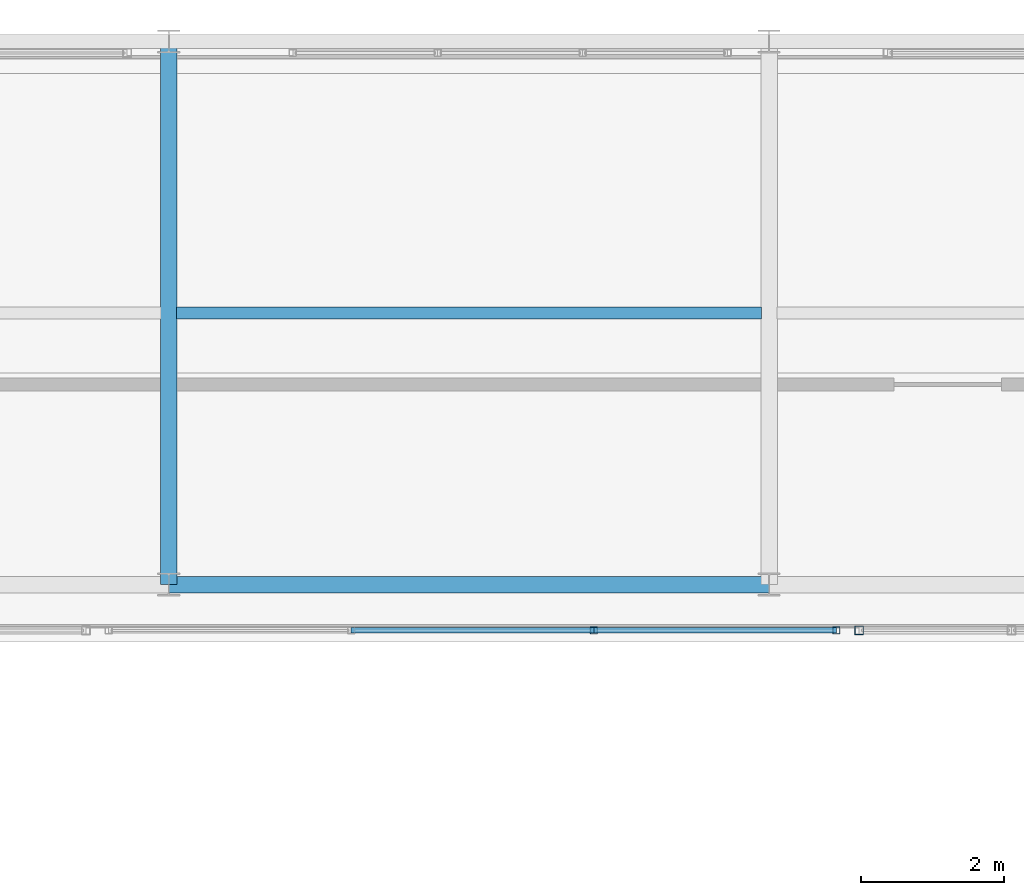
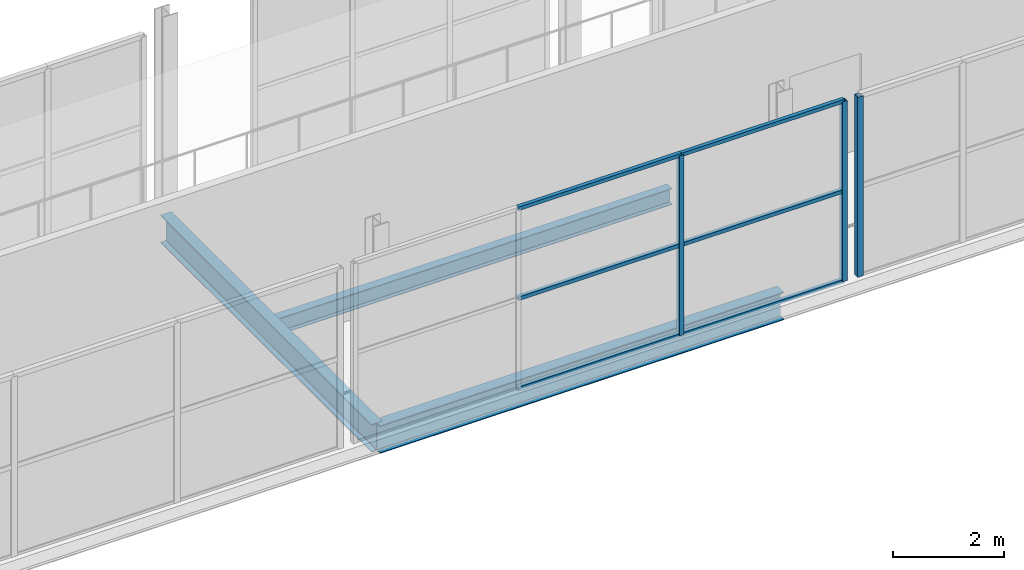
# One storey, part 62 of 151: 9 members, 3 beams, 2 elements without a shape of their own.
"""IFC4 building model written with IfcOpenShell, lengths in metres."""

from ifc_helpers import new_model, si_unit, direction, frame, origin, origin_2d, place, context, subcontext, project, spatial, hollow_rectangle, i_section, extrude, material, material_profile, profile_set, type_object, element, aggregate, save


model = new_model("IFC4")

# Units and contexts
model_context = context("Model", 3, precision=1e-05, world=origin(), true_north=direction((0.0, 1.0)))
body_context = subcontext(model_context, "Body", "Model", "MODEL_VIEW")
ifc_project = project(units=[si_unit("LENGTHUNIT", "METRE"), si_unit("AREAUNIT", "SQUARE_METRE"), si_unit("VOLUMEUNIT", "CUBIC_METRE"), si_unit("PLANEANGLEUNIT", "RADIAN"), si_unit("MASSUNIT", "GRAM", prefix="KILO")], contexts=[model_context])

# Site, building, storey
site_placement = place(None, origin())
site = spatial("IfcSite", under=ifc_project, at=site_placement, CompositionType="ELEMENT")
building_placement = place(site_placement, origin())
building = spatial("IfcBuilding", under=site, at=building_placement, Name="Zuvorla Pavilion Media Centre", CompositionType="ELEMENT")
storey_placement = place(building_placement, frame((0.0, 0.0, 13.800048828125)))
storey = spatial("IfcBuildingStorey", under=building, at=storey_placement, Name="L03", CompositionType="ELEMENT", Elevation=13.800048828125)

# Beams
ifc_material_1 = material(Name="Steel S355", Category="steel")
ifc_material_profile_1 = material_profile(ifc_material_1, i_section(OverallWidth=0.172119140625, OverallDepth=0.35791015625, WebThickness=0.008056640625, FlangeThickness=0.012939453125, FilletRadius=0.01025390625, at=origin_2d()), Name="UB 356x171x57")
ifc_profile_set_1 = profile_set([ifc_material_profile_1], Name="Steel S355")
beam_type_1 = type_object("IfcBeamType", Name="BM-UB356", PredefinedType="JOIST", material=ifc_profile_set_1)
beam_1_placement = place(storey_placement, frame((50.109619140625, 85.800048828125, -0.43701171875), z_axis=(1.0, 0.0, 0.0), x_axis=(0.0, 1.0, 0.0)))
element("IfcBeam", 1, at=beam_1_placement, inside=storey, type_object=beam_type_1, Name="L03 joist J03 1252", PredefinedType="JOIST", context=body_context, shape_type="SweptSolid", body=[
    extrude(i_section(OverallWidth=0.172119140625, OverallDepth=0.35791015625, WebThickness=0.008056640625, FlangeThickness=0.012939453125, FilletRadius=0.01025390625, at=origin_2d()), origin(), (0.0, 0.0, 1.0), 8.180908203125),
])
ifc_material_profile_2 = material_profile(ifc_material_1, i_section(OverallWidth=0.22900390625, OverallDepth=0.6123046875, WebThickness=0.011962890625, FlangeThickness=0.01953125, FilletRadius=0.0126953125, at=origin_2d()), Name="UB 610x229x125")
ifc_profile_set_2 = profile_set([ifc_material_profile_2], Name="Steel S355")
beam_type_2 = type_object("IfcBeamType", Name="BM-UB610", PredefinedType="BEAM", material=ifc_profile_set_2)
beam_2_placement = place(storey_placement, frame((50.0, 82.0, -0.564208984375), z_axis=(1.0, 0.0, 0.0), x_axis=(0.0, 1.0, 0.0)))
element("IfcBeam", 2, at=beam_2_placement, inside=storey, type_object=beam_type_2, Name="L03 beam B07 1119", PredefinedType="BEAM", context=body_context, shape_type="SweptSolid", body=[
    extrude(i_section(OverallWidth=0.22900390625, OverallDepth=0.6123046875, WebThickness=0.011962890625, FlangeThickness=0.01953125, FilletRadius=0.0126953125, at=origin_2d()), origin(), (0.0, 0.0, 1.0), 8.39990234375),
])
beam_3_placement = place(storey_placement, frame((50.0, 82.0, -0.564208984375), z_axis=(0.0, 1.0, 0.0), x_axis=(-1.0, 0.0, 0.0)))
element("IfcBeam", 3, at=beam_3_placement, inside=storey, type_object=beam_type_2, Name="L03 beam B07 1172", PredefinedType="BEAM", context=body_context, shape_type="SweptSolid", body=[
    extrude(i_section(OverallWidth=0.22900390625, OverallDepth=0.6123046875, WebThickness=0.011962890625, FlangeThickness=0.01953125, FilletRadius=0.0126953125, at=origin_2d()), origin(), (0.0, 0.0, 1.0), 7.60009765625),
])

# Curtain wall, members
ifc_material_2 = material(Name="Unitised anodised aluminium and solar glass curtain wall", Category="aluminium")
curtain_wall_type_1 = type_object("IfcCurtainWallType", Name="CW-SYS-35", PredefinedType="USERDEFINED", material=ifc_material_2)
curtain_wall_1_placement = place(storey_placement, origin())
curtain_wall_1 = element("IfcCurtainWall", 4, at=curtain_wall_1_placement, inside=storey, type_object=curtain_wall_type_1, Name="L03 curtain wall CW35 155", ObjectType="CURTAIN WALL", PredefinedType="USERDEFINED")
ifc_material_3 = material(Name="Anodised aluminium 6063-T6", Category="aluminium")
ifc_material_profile_3 = material_profile(ifc_material_3, hollow_rectangle(XDim=0.10009765625, YDim=0.10009765625, WallThickness=0.00439453125, at=origin_2d()), Name="ALU MULL 100x100")
ifc_profile_set_3 = profile_set([ifc_material_profile_3], Name="Anodised aluminium 6063-T6")
member_type_1 = type_object("IfcMemberType", Name="CW-MULL-100", PredefinedType="MULLION", material=ifc_profile_set_3)
member_1_placement = place(storey_placement, frame((59.340087890625, 81.360107421875, 0.0), z_axis=(0.0, 0.0, 1.0), x_axis=(1.0, 0.0, 0.0)))
member_1 = element("IfcMember", 5, at=member_1_placement, type_object=member_type_1, Name="CW35 mullion 1", PredefinedType="MULLION", context=body_context, shape_type="SweptSolid", body=[
    extrude(hollow_rectangle(XDim=0.10009765625, YDim=0.10009765625, WallThickness=0.00439453125, at=origin_2d()), origin(), (0.0, 0.0, 1.0), 3.9599609375),
])
member_2_placement = place(storey_placement, frame((55.94677734375, 81.360107421875, 0.0), z_axis=(0.0, 0.0, 1.0), x_axis=(1.0, 0.0, 0.0)))
member_2 = element("IfcMember", 6, at=member_2_placement, type_object=member_type_1, Name="CW35 mullion 2", PredefinedType="MULLION", context=body_context, shape_type="SweptSolid", body=[
    extrude(hollow_rectangle(XDim=0.10009765625, YDim=0.10009765625, WallThickness=0.00439453125, at=origin_2d()), origin(), (0.0, 0.0, 1.0), 3.9599609375),
])

# Curtain wall, member
curtain_wall_type_2 = type_object("IfcCurtainWallType", Name="CW-SYS-77", PredefinedType="USERDEFINED", material=ifc_material_2)
curtain_wall_2_placement = place(storey_placement, origin())
curtain_wall_2 = element("IfcCurtainWall", 7, at=curtain_wall_2_placement, inside=storey, type_object=curtain_wall_type_2, Name="L03 curtain wall CW77 159", ObjectType="CURTAIN WALL", PredefinedType="USERDEFINED")
ifc_material_profile_4 = material_profile(ifc_material_3, hollow_rectangle(XDim=0.1201171875, YDim=0.1201171875, WallThickness=0.0048828125, at=origin_2d()), Name="ALU MULL 120x120")
ifc_profile_set_4 = profile_set([ifc_material_profile_4], Name="Anodised aluminium 6063-T6")
member_type_2 = type_object("IfcMemberType", Name="CW-MULL-120", PredefinedType="MULLION", material=ifc_profile_set_4)
member_3_placement = place(storey_placement, frame((59.659912109375, 81.360107421875, 0.0), z_axis=(0.0, 0.0, 1.0), x_axis=(1.0, 0.0, 0.0)))
member_3 = element("IfcMember", 8, at=member_3_placement, type_object=member_type_2, Name="CW77 mullion 4", PredefinedType="MULLION", context=body_context, shape_type="SweptSolid", body=[
    extrude(hollow_rectangle(XDim=0.1201171875, YDim=0.1201171875, WallThickness=0.0048828125, at=origin_2d()), origin(), (0.0, 0.0, 1.0), 3.9599609375),
])
aggregate(curtain_wall_2, [member_3])

# Member
ifc_material_profile_5 = material_profile(ifc_material_3, hollow_rectangle(XDim=0.080078125, YDim=0.080078125, WallThickness=0.00390625, at=origin_2d()), Name="ALU TRAN 80x80")
ifc_profile_set_5 = profile_set([ifc_material_profile_5], Name="Anodised aluminium 6063-T6")
member_type_3 = type_object("IfcMemberType", Name="CW-TRAN-80", PredefinedType="USERDEFINED", material=ifc_profile_set_5)
member_4_placement = place(storey_placement, frame((59.340087890625, 81.360107421875, 0.0), z_axis=(-1.0, 0.0, 0.0), x_axis=(0.0, -1.0, 0.0)))
member_4 = element("IfcMember", 9, at=member_4_placement, type_object=member_type_3, Name="CW35 transom 1.1", ObjectType="TRANSOM", PredefinedType="USERDEFINED", context=body_context, shape_type="SweptSolid", body=[
    extrude(hollow_rectangle(XDim=0.080078125, YDim=0.080078125, WallThickness=0.00390625, at=origin_2d()), origin(), (0.0, 0.0, 1.0), 3.393310546875),
])

member_5_placement = place(storey_placement, frame((59.340087890625, 81.360107421875, 1.97998046875), z_axis=(-1.0, 0.0, 0.0), x_axis=(0.0, -1.0, 0.0)))
member_5 = element("IfcMember", 10, at=member_5_placement, type_object=member_type_3, Name="CW35 transom 1.2", ObjectType="TRANSOM", PredefinedType="USERDEFINED", context=body_context, shape_type="SweptSolid", body=[
    extrude(hollow_rectangle(XDim=0.080078125, YDim=0.080078125, WallThickness=0.00390625, at=origin_2d()), origin(), (0.0, 0.0, 1.0), 3.393310546875),
])

member_6_placement = place(storey_placement, frame((59.340087890625, 81.360107421875, 3.9599609375), z_axis=(-1.0, 0.0, 0.0), x_axis=(0.0, -1.0, 0.0)))
member_6 = element("IfcMember", 11, at=member_6_placement, type_object=member_type_3, Name="CW35 transom 1.3", ObjectType="TRANSOM", PredefinedType="USERDEFINED", context=body_context, shape_type="SweptSolid", body=[
    extrude(hollow_rectangle(XDim=0.080078125, YDim=0.080078125, WallThickness=0.00390625, at=origin_2d()), origin(), (0.0, 0.0, 1.0), 3.393310546875),
])

member_7_placement = place(storey_placement, frame((55.94677734375, 81.360107421875, 0.0), z_axis=(-1.0, 0.0, 0.0), x_axis=(0.0, -1.0, 0.0)))
member_7 = element("IfcMember", 12, at=member_7_placement, type_object=member_type_3, Name="CW35 transom 2.1", ObjectType="TRANSOM", PredefinedType="USERDEFINED", context=body_context, shape_type="SweptSolid", body=[
    extrude(hollow_rectangle(XDim=0.080078125, YDim=0.080078125, WallThickness=0.00390625, at=origin_2d()), origin(), (0.0, 0.0, 1.0), 3.3935546875),
])

member_8_placement = place(storey_placement, frame((55.94677734375, 81.360107421875, 1.97998046875), z_axis=(-1.0, 0.0, 0.0), x_axis=(0.0, -1.0, 0.0)))
member_8 = element("IfcMember", 13, at=member_8_placement, type_object=member_type_3, Name="CW35 transom 2.2", ObjectType="TRANSOM", PredefinedType="USERDEFINED", context=body_context, shape_type="SweptSolid", body=[
    extrude(hollow_rectangle(XDim=0.080078125, YDim=0.080078125, WallThickness=0.00390625, at=origin_2d()), origin(), (0.0, 0.0, 1.0), 3.3935546875),
])

member_9_placement = place(storey_placement, frame((55.94677734375, 81.360107421875, 3.9599609375), z_axis=(-1.0, 0.0, 0.0), x_axis=(0.0, -1.0, 0.0)))
member_9 = element("IfcMember", 14, at=member_9_placement, type_object=member_type_3, Name="CW35 transom 2.3", ObjectType="TRANSOM", PredefinedType="USERDEFINED", context=body_context, shape_type="SweptSolid", body=[
    extrude(hollow_rectangle(XDim=0.080078125, YDim=0.080078125, WallThickness=0.00390625, at=origin_2d()), origin(), (0.0, 0.0, 1.0), 3.3935546875),
])

aggregate(curtain_wall_1, [member_1, member_2, member_4, member_5, member_6, member_7, member_8, member_9])

save(model, "model.ifc")
